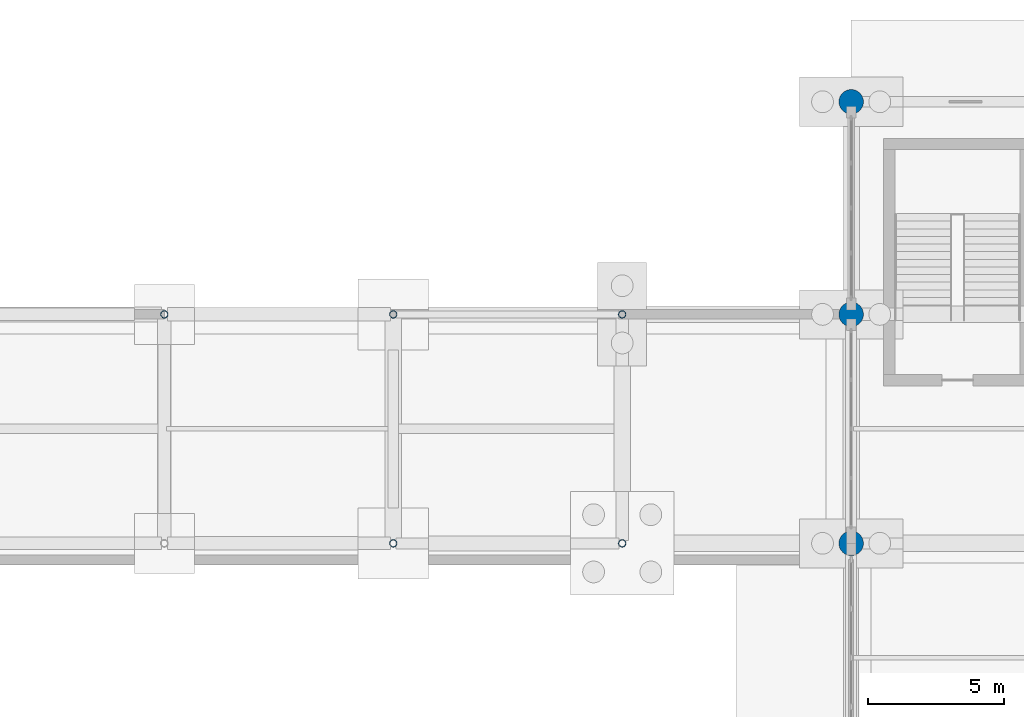
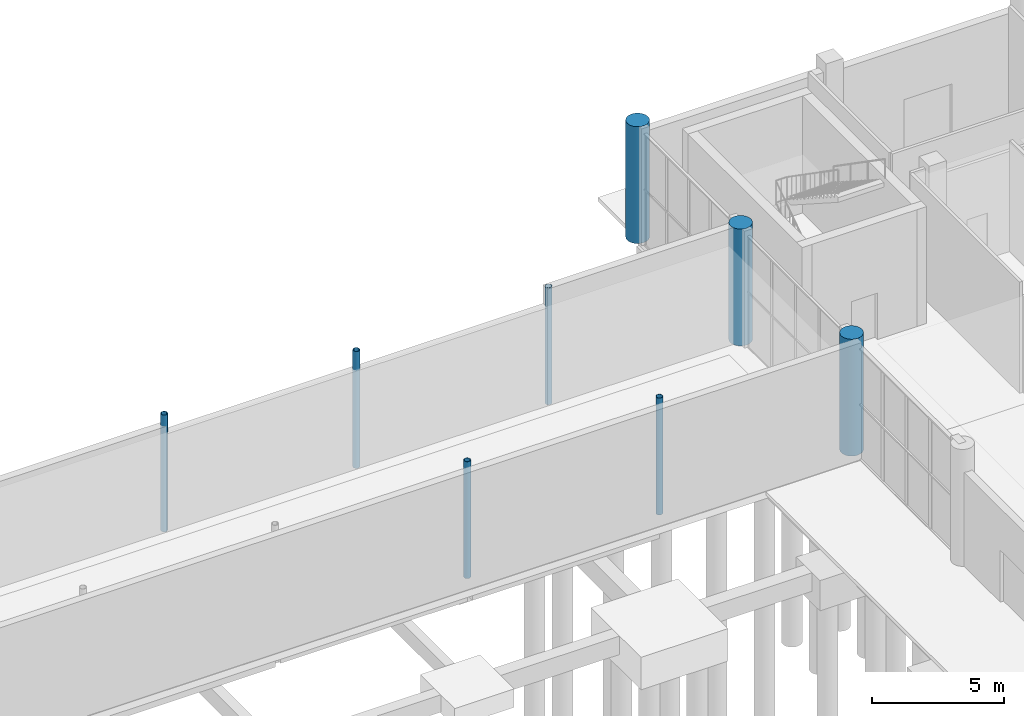
# One storey, part 18 of 82: 8 columns.
"""IFC4 building model written with IfcOpenShell, lengths in metres."""

from ifc_helpers import new_model, si_unit, derived_unit, direction, frame, origin, origin_2d, place, context, subcontext, project, spatial, circle, hollow_circle, extrude, material, material_profile, profile_set, type_object, element, save


model = new_model("IFC4")

# Units and contexts
model_context = context("Model", 3, precision=1e-05, world=origin(), true_north=direction((0.0, 1.0)))
body_context = subcontext(model_context, "Body", "Model", "MODEL_VIEW")
ifc_project = project(units=[si_unit("LENGTHUNIT", "METRE"), si_unit("AREAUNIT", "SQUARE_METRE"), si_unit("VOLUMEUNIT", "CUBIC_METRE"), si_unit("PLANEANGLEUNIT", "RADIAN"), si_unit("MASSUNIT", "GRAM", prefix="KILO"), derived_unit("THERMALTRANSMITTANCEUNIT", [(si_unit("POWERUNIT", "WATT"), 1), (si_unit("LENGTHUNIT", "METRE"), -2), (si_unit("THERMODYNAMICTEMPERATUREUNIT", "KELVIN"), -1)])], contexts=[model_context])

# Site, building, storey
site_placement = place(None, origin())
site = spatial("IfcSite", under=ifc_project, at=site_placement, CompositionType="ELEMENT")
building_placement = place(site_placement, origin())
building = spatial("IfcBuilding", under=site, at=building_placement, Name="Barrovel Congress Hotel", CompositionType="ELEMENT")
storey_placement = place(building_placement, origin())
storey = spatial("IfcBuildingStorey", under=building, at=storey_placement, Name="L00", CompositionType="ELEMENT", Elevation=0.0)

# Columns
ifc_material_1 = material(Name="Concrete C40", Category="concrete")
ifc_material_profile_1 = material_profile(ifc_material_1, circle(Radius=0.449951171875, at=origin_2d()), Name="RC-D900")
ifc_profile_set_1 = profile_set([ifc_material_profile_1], Name="Concrete C40")
column_type_1 = type_object("IfcColumnType", Name="COL-RC-D900", PredefinedType="COLUMN", material=ifc_profile_set_1)
for number, where, z_axis, x_axis, name in (
    (1, (126.0, 96.60009765625, 0.0), (0.0, 0.0, 1.0), (1.0, 0.0, 0.0), "COL:L00:126.0:96.6"),
    (2, (126.0, 105.0, 0.0), (0.0, 0.0, 1.0), (1.0, 0.0, 0.0), "COL:L00:126.0:105.0"),
    (3, (126.0, 112.800048828125, 0.0), (0.0, 0.0, 1.0), (1.0, 0.0, 0.0), "COL:L00:126.0:112.8"),
):
    element("IfcColumn", number, at=place(storey_placement, frame(where, z_axis=z_axis, x_axis=x_axis)), inside=storey, type_object=column_type_1, Name=name, PredefinedType="COLUMN", context=body_context, shape_type="SweptSolid", body=[
        extrude(circle(Radius=0.449951171875, at=origin_2d()), origin(), (0.0, 0.0, 1.0), 5.39990234375),
    ])
ifc_material_2 = material(Name="Steel ASTM A500 Grade C", Category="steel")
ifc_material_profile_2 = material_profile(ifc_material_2, hollow_circle(Radius=0.136474609375, WallThickness=0.01171875, at=origin_2d()), Name="CHS273.1x12.7")
ifc_profile_set_2 = profile_set([ifc_material_profile_2], Name="Steel ASTM A500 Grade C")
column_type_2 = type_object("IfcColumnType", Name="SCOL-CHS273.1x12.7", PredefinedType="COLUMN", material=ifc_profile_set_2)
for number, where, z_axis, x_axis, name in (
    (4, (100.800048828125, 105.0, 0.0), (0.0, 0.0, 1.0), (1.0, 0.0, 0.0), "COL:L00:100.8:105.0"),
    (5, (109.199951171875, 96.60009765625, 0.0), (0.0, 0.0, 1.0), (1.0, 0.0, 0.0), "COL:L00:109.2:96.6"),
    (6, (109.199951171875, 105.0, 0.0), (0.0, 0.0, 1.0), (1.0, 0.0, 0.0), "COL:L00:109.2:105.0"),
    (7, (117.60009765625, 96.60009765625, 0.0), (0.0, 0.0, 1.0), (1.0, 0.0, 0.0), "COL:L00:117.6:96.6"),
    (8, (117.60009765625, 105.0, 0.0), (0.0, 0.0, 1.0), (1.0, 0.0, 0.0), "COL:L00:117.6:105.0"),
):
    element("IfcColumn", number, at=place(storey_placement, frame(where, z_axis=z_axis, x_axis=x_axis)), inside=storey, type_object=column_type_2, Name=name, PredefinedType="COLUMN", context=body_context, shape_type="SweptSolid", body=[
        extrude(hollow_circle(Radius=0.136474609375, WallThickness=0.01171875, at=origin_2d()), origin(), (0.0, 0.0, 1.0), 5.39990234375),
    ])

save(model, "model.ifc")
